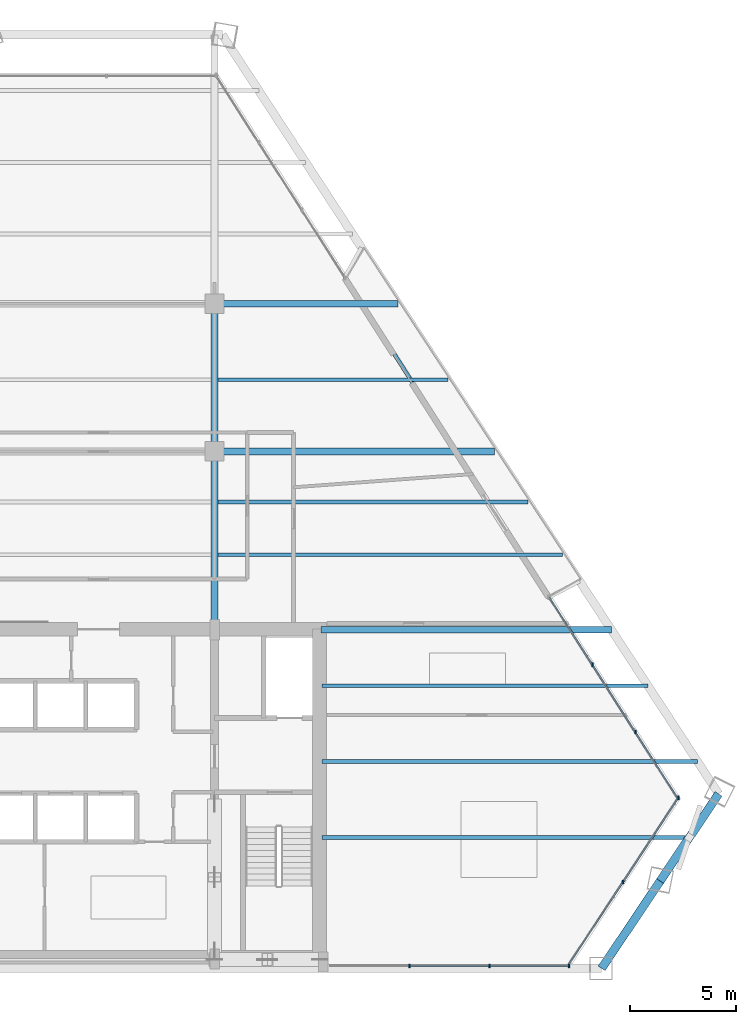
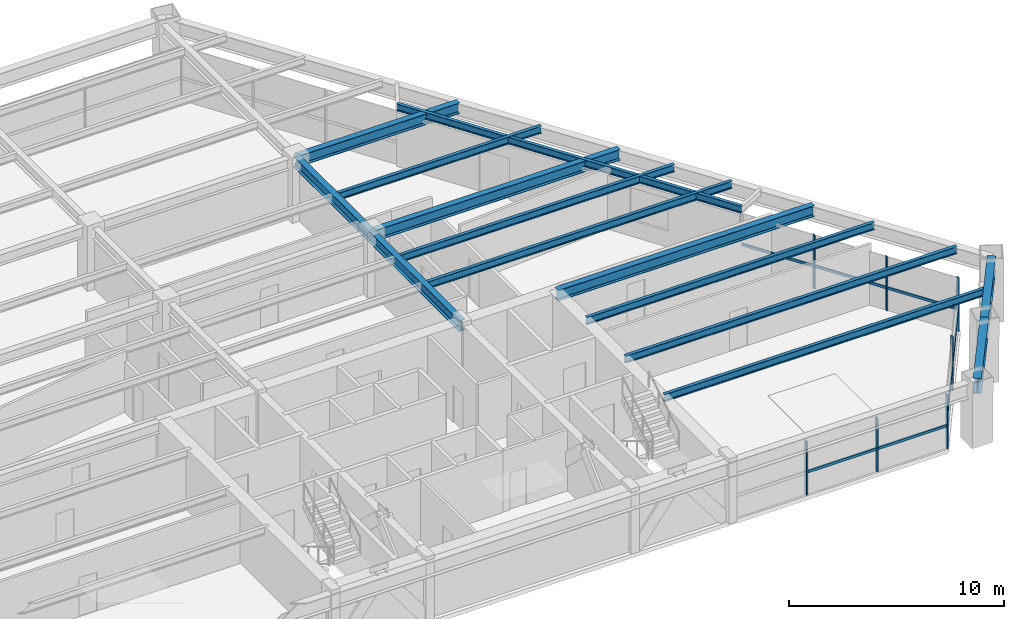
# One storey, part 6 of 14: 14 beams, 14 members, 3 elements without a shape of their own.
"""IFC4 building model written with IfcOpenShell, lengths in metres."""

from ifc_helpers import new_model, si_unit, direction, frame, origin, origin_2d, place, context, subcontext, project, spatial, rectangle, i_section, extrude, source, transform, mapped, material, material_profile, profile_set, type_object, type_shapes, element, aggregate, save


model = new_model("IFC4")

# Units and contexts
model_context = context("Model", 3, precision=1e-05, world=origin(), true_north=direction((0.0, 1.0)))
body_context = subcontext(model_context, "Body", "Model", "MODEL_VIEW")
ifc_project = project(units=[si_unit("LENGTHUNIT", "METRE"), si_unit("AREAUNIT", "SQUARE_METRE"), si_unit("VOLUMEUNIT", "CUBIC_METRE"), si_unit("PLANEANGLEUNIT", "RADIAN"), si_unit("MASSUNIT", "GRAM", prefix="KILO")], contexts=[model_context])

# Site, building, storey
site_placement = place(None, origin())
site = spatial("IfcSite", under=ifc_project, at=site_placement, CompositionType="ELEMENT")
building_placement = place(site_placement, origin())
building = spatial("IfcBuilding", under=site, at=building_placement, Name="Varnakhor Terracotta Tower", CompositionType="ELEMENT")
storey_placement = place(building_placement, frame((0.0, 0.0, 129.300048828125)))
storey = spatial("IfcBuildingStorey", under=building, at=storey_placement, Name="L32", CompositionType="ELEMENT", Elevation=129.300048828125)

# Beams
ifc_material_1 = material(Name="Steel S355", Category="steel")
ifc_material_profile_1 = material_profile(ifc_material_1, i_section(OverallWidth=0.324951171875, OverallDepth=0.615966796875, WebThickness=0.013916015625, FlangeThickness=0.02197265625, FilletRadius=0.01806640625, at=origin_2d()), Name="W24X117")
ifc_profile_set_1 = profile_set([ifc_material_profile_1], Name="Steel S355")
beam_type_1 = type_object("IfcBeamType", Name="BM-W24X117", PredefinedType="BEAM", material=ifc_profile_set_1)
shared_shape_1 = source(origin(), body_context, "Body", "SweptSolid", [
    extrude(i_section(OverallWidth=0.324951171875, OverallDepth=0.615966796875, WebThickness=0.013916015625, FlangeThickness=0.02197265625, FilletRadius=0.01806640625, at=origin_2d()), origin(), (0.0, 0.0, 1.0), 8.449951171875),
])
type_shapes(beam_type_1, [shared_shape_1])
beam_1_placement = place(storey_placement, frame((5.5, 16.050048828125, 3.161865234375), z_axis=(0.0, 1.0, 0.0), x_axis=(-1.0, 0.0, 0.0)))
element("IfcBeam", 1, at=beam_1_placement, inside=storey, type_object=beam_type_1, Name="L32 Primary Girder NS1-E", PredefinedType="BEAM", context=body_context, shape_type="MappedRepresentation", body=[
    mapped(shared_shape_1, transform((0.0, 0.0, 0.0), scale=1.0)),
])
shared_shape_2 = source(origin(), body_context, "Body", "SweptSolid", [
    extrude(i_section(OverallWidth=0.324951171875, OverallDepth=0.615966796875, WebThickness=0.013916015625, FlangeThickness=0.02197265625, FilletRadius=0.01806640625, at=origin_2d()), origin(), (0.0, 0.0, 1.0), 7.0),
])
beam_2_placement = place(storey_placement, frame((5.5, 24.5, 3.161865234375), z_axis=(0.0, 1.0, 0.0), x_axis=(-1.0, 0.0, 0.0)))
element("IfcBeam", 2, at=beam_2_placement, inside=storey, type_object=beam_type_1, Name="L32 Primary Girder NS2-E", PredefinedType="BEAM", context=body_context, shape_type="MappedRepresentation", body=[
    mapped(shared_shape_2, transform((0.0, 0.0, 0.0), scale=1.0)),
])
ifc_material_profile_2 = material_profile(ifc_material_1, i_section(OverallWidth=0.39990234375, OverallDepth=0.85498046875, WebThickness=0.01806640625, FlangeThickness=0.029052734375, FilletRadius=0.01806640625, at=origin_2d()), Name="W33X201")
ifc_profile_set_2 = profile_set([ifc_material_profile_2], Name="Steel S355")
beam_type_2 = type_object("IfcBeamType", Name="BM-W33X201", PredefinedType="BEAM", material=ifc_profile_set_2)
shared_shape_3 = source(origin(), body_context, "Body", "SweptSolid", [
    extrude(i_section(OverallWidth=0.39990234375, OverallDepth=0.85498046875, WebThickness=0.01806640625, FlangeThickness=0.029052734375, FilletRadius=0.01806640625, at=origin_2d()), origin(), (0.0, 0.0, 1.0), 4.979248046875),
])
for number, where, z_axis, x_axis, name in (
    (3, (23.845703125, 0.0, 3.04248046875), (0.556656154892, 0.83074299589, 0.0), (-0.83074299589, 0.556656154892, 0.0), "L32 Perimeter Spandrel 2"),
    (4, (26.617431640625, 4.136474609375, 3.04248046875), (0.55671266686, 0.830705126117, 0.0), (-0.830705126117, 0.55671266686, 0.0), "L32 Perimeter Spandrel 3"),
):
    element("IfcBeam", number, at=place(storey_placement, frame(where, z_axis=z_axis, x_axis=x_axis)), inside=storey, type_object=beam_type_2, Name=name, PredefinedType="BEAM", context=body_context, shape_type="MappedRepresentation", body=[
        mapped(shared_shape_3, transform((0.0, 0.0, 0.0), scale=1.0)),
    ])
ifc_material_profile_3 = material_profile(ifc_material_1, i_section(OverallWidth=0.179931640625, OverallDepth=0.39990234375, WebThickness=0.008544921875, FlangeThickness=0.013427734375, FilletRadius=0.01806640625, at=origin_2d()), Name="IPE400")
ifc_profile_set_3 = profile_set([ifc_material_profile_3], Name="Steel S355")
beam_type_3 = type_object("IfcBeamType", Name="JST-IPE400", PredefinedType="JOIST", material=ifc_profile_set_3)
shared_shape_4 = source(origin(), body_context, "Body", "SweptSolid", [
    extrude(i_section(OverallWidth=0.179931640625, OverallDepth=0.39990234375, WebThickness=0.008544921875, FlangeThickness=0.013427734375, FilletRadius=0.01806640625, at=origin_2d()), origin(), (0.0, 0.0, 1.0), 18.0078125),
])
beam_3_placement = place(storey_placement, frame((21.370849609375, 17.59423828125, 3.27001953125), z_axis=(-0.537947934611, 0.842978065935, 0.0), x_axis=(-0.842978065935, -0.537947934611, 0.0)))
element("IfcBeam", 5, at=beam_3_placement, inside=storey, type_object=beam_type_3, Name="L32 Loggia Edge Beam 1", PredefinedType="JOIST", context=body_context, shape_type="MappedRepresentation", body=[
    mapped(shared_shape_4, transform((0.0, 0.0, 0.0), scale=1.0)),
])
shared_shape_5 = source(origin(), body_context, "Body", "SweptSolid", [
    extrude(i_section(OverallWidth=0.324951171875, OverallDepth=0.615966796875, WebThickness=0.013916015625, FlangeThickness=0.02197265625, FilletRadius=0.01806640625, at=origin_2d()), origin(), (0.0, 0.0, 1.0), 13.753662109375),
])
beam_4_placement = place(storey_placement, frame((10.550048828125, 16.050048828125, 3.161865234375), z_axis=(1.0, 0.0, 0.0), x_axis=(0.0, 1.0, 0.0)))
element("IfcBeam", 6, at=beam_4_placement, inside=storey, type_object=beam_type_1, Name="L32 Wing Girder E", PredefinedType="BEAM", context=body_context, shape_type="MappedRepresentation", body=[
    mapped(shared_shape_5, transform((0.0, 0.0, 0.0), scale=1.0)),
])
shared_shape_6 = source(origin(), body_context, "Body", "SweptSolid", [
    extrude(i_section(OverallWidth=0.324951171875, OverallDepth=0.615966796875, WebThickness=0.013916015625, FlangeThickness=0.02197265625, FilletRadius=0.01806640625, at=origin_2d()), origin(), (0.0, 0.0, 1.0), 13.2783203125),
])
beam_5_placement = place(storey_placement, frame((5.5, 24.5, 3.161865234375), z_axis=(1.0, 0.0, 0.0), x_axis=(0.0, 1.0, 0.0)))
element("IfcBeam", 7, at=beam_5_placement, inside=storey, type_object=beam_type_1, Name="L32 Primary Girder EW2-3", PredefinedType="BEAM", context=body_context, shape_type="MappedRepresentation", body=[
    mapped(shared_shape_6, transform((0.0, 0.0, 0.0), scale=1.0)),
])
shared_shape_7 = source(origin(), body_context, "Body", "SweptSolid", [
    extrude(i_section(OverallWidth=0.324951171875, OverallDepth=0.615966796875, WebThickness=0.013916015625, FlangeThickness=0.02197265625, FilletRadius=0.01806640625, at=origin_2d()), origin(), (0.0, 0.0, 1.0), 8.70068359375),
])
beam_6_placement = place(storey_placement, frame((5.5, 31.5, 3.161865234375), z_axis=(1.0, 0.0, 0.0), x_axis=(0.0, 1.0, 0.0)))
element("IfcBeam", 8, at=beam_6_placement, inside=storey, type_object=beam_type_1, Name="L32 Primary Girder EW3-3", PredefinedType="BEAM", context=body_context, shape_type="MappedRepresentation", body=[
    mapped(shared_shape_7, transform((0.0, 0.0, 0.0), scale=1.0)),
])
ifc_material_profile_4 = material_profile(ifc_material_1, i_section(OverallWidth=0.179931640625, OverallDepth=0.4130859375, WebThickness=0.009765625, FlangeThickness=0.01611328125, FilletRadius=0.01806640625, at=origin_2d()), Name="W16X50")
ifc_profile_set_4 = profile_set([ifc_material_profile_4], Name="Steel S355")
beam_type_4 = type_object("IfcBeamType", Name="JST-W16X50", PredefinedType="JOIST", material=ifc_profile_set_4)
shared_shape_8 = source(origin(), body_context, "Body", "SweptSolid", [
    extrude(i_section(OverallWidth=0.179931640625, OverallDepth=0.4130859375, WebThickness=0.009765625, FlangeThickness=0.01611328125, FilletRadius=0.01806640625, at=origin_2d()), origin(), (0.0, 0.0, 1.0), 17.400146484375),
])
beam_7_placement = place(storey_placement, frame((10.60009765625, 6.199951171875, 3.263427734375), z_axis=(1.0, 0.0, 0.0), x_axis=(0.0, 1.0, 0.0)))
element("IfcBeam", 9, at=beam_7_placement, inside=storey, type_object=beam_type_4, Name="L32 Floor Joist E1", PredefinedType="JOIST", context=body_context, shape_type="MappedRepresentation", body=[
    mapped(shared_shape_8, transform((0.0, 0.0, 0.0), scale=1.0)),
])
shared_shape_9 = source(origin(), body_context, "Body", "SweptSolid", [
    extrude(i_section(OverallWidth=0.179931640625, OverallDepth=0.4130859375, WebThickness=0.009765625, FlangeThickness=0.01611328125, FilletRadius=0.01806640625, at=origin_2d()), origin(), (0.0, 0.0, 1.0), 17.79052734375),
])
beam_8_placement = place(storey_placement, frame((10.60009765625, 9.800048828125, 3.263427734375), z_axis=(1.0, 0.0, 0.0), x_axis=(0.0, 1.0, 0.0)))
element("IfcBeam", 10, at=beam_8_placement, inside=storey, type_object=beam_type_4, Name="L32 Floor Joist E2", PredefinedType="JOIST", context=body_context, shape_type="MappedRepresentation", body=[
    mapped(shared_shape_9, transform((0.0, 0.0, 0.0), scale=1.0)),
])
shared_shape_10 = source(origin(), body_context, "Body", "SweptSolid", [
    extrude(i_section(OverallWidth=0.179931640625, OverallDepth=0.4130859375, WebThickness=0.009765625, FlangeThickness=0.01611328125, FilletRadius=0.01806640625, at=origin_2d()), origin(), (0.0, 0.0, 1.0), 15.4365234375),
])
beam_9_placement = place(storey_placement, frame((10.60009765625, 13.39990234375, 3.263427734375), z_axis=(1.0, 0.0, 0.0), x_axis=(0.0, 1.0, 0.0)))
element("IfcBeam", 11, at=beam_9_placement, inside=storey, type_object=beam_type_4, Name="L32 Floor Joist E3", PredefinedType="JOIST", context=body_context, shape_type="MappedRepresentation", body=[
    mapped(shared_shape_10, transform((0.0, 0.0, 0.0), scale=1.0)),
])
shared_shape_11 = source(origin(), body_context, "Body", "SweptSolid", [
    extrude(i_section(OverallWidth=0.179931640625, OverallDepth=0.4130859375, WebThickness=0.009765625, FlangeThickness=0.01611328125, FilletRadius=0.01806640625, at=origin_2d()), origin(), (0.0, 0.0, 1.0), 16.323974609375),
])
beam_10_placement = place(storey_placement, frame((5.658447265625, 19.60009765625, 3.263427734375), z_axis=(1.0, 0.0, 0.0), x_axis=(0.0, 1.0, 0.0)))
element("IfcBeam", 12, at=beam_10_placement, inside=storey, type_object=beam_type_4, Name="L32 Composite Floor Joist 4-3", PredefinedType="JOIST", context=body_context, shape_type="MappedRepresentation", body=[
    mapped(shared_shape_11, transform((0.0, 0.0, 0.0), scale=1.0)),
])
shared_shape_12 = source(origin(), body_context, "Body", "SweptSolid", [
    extrude(i_section(OverallWidth=0.179931640625, OverallDepth=0.4130859375, WebThickness=0.009765625, FlangeThickness=0.01611328125, FilletRadius=0.01806640625, at=origin_2d()), origin(), (0.0, 0.0, 1.0), 14.68896484375),
])
beam_11_placement = place(storey_placement, frame((5.658447265625, 22.10009765625, 3.263427734375), z_axis=(1.0, 0.0, 0.0), x_axis=(0.0, 1.0, 0.0)))
element("IfcBeam", 13, at=beam_11_placement, inside=storey, type_object=beam_type_4, Name="L32 Composite Floor Joist 5-3", PredefinedType="JOIST", context=body_context, shape_type="MappedRepresentation", body=[
    mapped(shared_shape_12, transform((0.0, 0.0, 0.0), scale=1.0)),
])
shared_shape_13 = source(origin(), body_context, "Body", "SweptSolid", [
    extrude(i_section(OverallWidth=0.179931640625, OverallDepth=0.4130859375, WebThickness=0.009765625, FlangeThickness=0.01611328125, FilletRadius=0.01806640625, at=origin_2d()), origin(), (0.0, 0.0, 1.0), 10.896484375),
])
beam_12_placement = place(storey_placement, frame((5.658447265625, 27.89990234375, 3.263427734375), z_axis=(1.0, 0.0, 0.0), x_axis=(0.0, 1.0, 0.0)))
element("IfcBeam", 14, at=beam_12_placement, inside=storey, type_object=beam_type_4, Name="L32 Composite Floor Joist 6-3", PredefinedType="JOIST", context=body_context, shape_type="MappedRepresentation", body=[
    mapped(shared_shape_13, transform((0.0, 0.0, 0.0), scale=1.0)),
])

# Curtain wall, members
ifc_material_2 = material(Name="Anodised Aluminium Curtain Wall System", Category="aluminium")
curtain_wall_type = type_object("IfcCurtainWallType", Name="CW-SYS-MID-OFFICE", PredefinedType="NOTDEFINED", material=ifc_material_2)
curtain_wall_1_placement = place(storey_placement, origin())
curtain_wall_1 = element("IfcCurtainWall", 15, at=curtain_wall_1_placement, inside=storey, type_object=curtain_wall_type, Name="L32 E Facet Curtain Wall 2", PredefinedType="NOTDEFINED")
ifc_material_3 = material(Name="Anodised Aluminium 6063-T6", Category="aluminium")
ifc_material_profile_5 = material_profile(ifc_material_3, rectangle(XDim=0.070068359375, YDim=0.175048828125, at=origin_2d()), Name="ALU MULLION 70x175")
ifc_profile_set_5 = profile_set([ifc_material_profile_5], Name="Anodised Aluminium 6063-T6")
member_type_1 = type_object("IfcMemberType", Name="CWM-03", PredefinedType="MULLION", material=ifc_profile_set_5)
shared_shape_14 = source(origin(), body_context, "Body", "SweptSolid", [
    extrude(rectangle(XDim=0.070068359375, YDim=0.175048828125, at=origin_2d()), origin(), (0.0, 0.0, 1.0), 3.050048828125),
])
member_1_placement = place(storey_placement, frame((23.40380859375, 14.3876953125, 0.0), z_axis=(0.0, 0.0, 1.0), x_axis=(1.0, 0.0, 0.0)))
member_1 = element("IfcMember", 16, at=member_1_placement, type_object=member_type_1, Name="L32 E Facet Curtain Wall 2 Mullion 2", PredefinedType="MULLION", context=body_context, shape_type="MappedRepresentation", body=[
    mapped(shared_shape_14, transform((0.0, 0.0, 0.0), scale=1.0)),
])
member_2_placement = place(storey_placement, frame((25.44189453125, 11.196533203125, 0.0), z_axis=(0.0, 0.0, 1.0), x_axis=(1.0, 0.0, 0.0)))
member_2 = element("IfcMember", 17, at=member_2_placement, type_object=member_type_1, Name="L32 E Facet Curtain Wall 2 Mullion 3", PredefinedType="MULLION", context=body_context, shape_type="MappedRepresentation", body=[
    mapped(shared_shape_14, transform((0.0, 0.0, 0.0), scale=1.0)),
])

curtain_wall_2_placement = place(storey_placement, origin())
curtain_wall_2 = element("IfcCurtainWall", 18, at=curtain_wall_2_placement, inside=storey, type_object=curtain_wall_type, Name="L32 Facet Curtain Wall 4", PredefinedType="NOTDEFINED")
member_3_placement = place(storey_placement, frame((27.480712890625, 8.08544921875, 0.0), z_axis=(0.0, 0.0, 1.0), x_axis=(1.0, 0.0, 0.0)))
member_3 = element("IfcMember", 19, at=member_3_placement, type_object=member_type_1, Name="L32 Facet Curtain Wall 4 Mullion 1", PredefinedType="MULLION", context=body_context, shape_type="MappedRepresentation", body=[
    mapped(shared_shape_14, transform((0.0, 0.0, 0.0), scale=1.0)),
])
member_4_placement = place(storey_placement, frame((24.85400390625, 4.08837890625, 0.0), z_axis=(0.0, 0.0, 1.0), x_axis=(1.0, 0.0, 0.0)))
member_4 = element("IfcMember", 20, at=member_4_placement, type_object=member_type_1, Name="L32 Facet Curtain Wall 4 Mullion 2", PredefinedType="MULLION", context=body_context, shape_type="MappedRepresentation", body=[
    mapped(shared_shape_14, transform((0.0, 0.0, 0.0), scale=1.0)),
])

curtain_wall_3_placement = place(storey_placement, origin())
curtain_wall_3 = element("IfcCurtainWall", 21, at=curtain_wall_3_placement, inside=storey, type_object=curtain_wall_type, Name="L32 South Wing Curtain Wall SSE", PredefinedType="NOTDEFINED")
member_5_placement = place(storey_placement, frame((22.301025390625, 0.1201171875, 0.0), z_axis=(0.0, 0.0, 1.0), x_axis=(1.0, 0.0, 0.0)))
member_5 = element("IfcMember", 22, at=member_5_placement, type_object=member_type_1, Name="L32 South Wing Curtain Wall SSE Mullion 1", PredefinedType="MULLION", context=body_context, shape_type="MappedRepresentation", body=[
    mapped(shared_shape_14, transform((0.0, 0.0, 0.0), scale=1.0)),
])
member_6_placement = place(storey_placement, frame((18.52392578125, 0.1201171875, 0.0), z_axis=(0.0, 0.0, 1.0), x_axis=(1.0, 0.0, 0.0)))
member_6 = element("IfcMember", 23, at=member_6_placement, type_object=member_type_1, Name="L32 South Wing Curtain Wall SSE Mullion 2", PredefinedType="MULLION", context=body_context, shape_type="MappedRepresentation", body=[
    mapped(shared_shape_14, transform((0.0, 0.0, 0.0), scale=1.0)),
])
member_7_placement = place(storey_placement, frame((14.7470703125, 0.1201171875, 0.0), z_axis=(0.0, 0.0, 1.0), x_axis=(1.0, 0.0, 0.0)))
member_7 = element("IfcMember", 24, at=member_7_placement, type_object=member_type_1, Name="L32 South Wing Curtain Wall SSE Mullion 3", PredefinedType="MULLION", context=body_context, shape_type="MappedRepresentation", body=[
    mapped(shared_shape_14, transform((0.0, 0.0, 0.0), scale=1.0)),
])

# Member
ifc_material_profile_6 = material_profile(ifc_material_3, rectangle(XDim=0.070068359375, YDim=0.155029296875, at=origin_2d()), Name="ALU TRANSOM 70x155")
ifc_profile_set_6 = profile_set([ifc_material_profile_6], Name="Anodised Aluminium 6063-T6")
member_type_2 = type_object("IfcMemberType", Name="CWT-03", PredefinedType="USERDEFINED", material=ifc_profile_set_6)
shared_shape_15 = source(origin(), body_context, "Body", "SweptSolid", [
    extrude(rectangle(XDim=0.070068359375, YDim=0.155029296875, at=origin_2d()), origin(), (0.0, 0.0, 1.0), 3.78662109375),
])
member_8_placement = place(storey_placement, frame((21.365478515625, 17.578857421875, 1.281005859375), z_axis=(0.538301517567, -0.842752321969, 0.0), x_axis=(0.842752321969, 0.538301517567, 0.0)))
member_8 = element("IfcMember", 25, at=member_8_placement, type_object=member_type_2, Name="L32 E Facet Curtain Wall 2 Transom 1", ObjectType="TRANSOM", PredefinedType="USERDEFINED", context=body_context, shape_type="MappedRepresentation", body=[
    mapped(shared_shape_15, transform((0.0, 0.0, 0.0), scale=1.0)),
])

member_9_placement = place(storey_placement, frame((25.44189453125, 11.196533203125, 1.281005859375), z_axis=(0.538301517567, -0.842752321969, 0.0), x_axis=(0.842752321969, 0.538301517567, 0.0)))
member_9 = element("IfcMember", 26, at=member_9_placement, type_object=member_type_2, Name="L32 E Facet Curtain Wall 2 Transom 3", ObjectType="TRANSOM", PredefinedType="USERDEFINED", context=body_context, shape_type="MappedRepresentation", body=[
    mapped(shared_shape_15, transform((0.0, 0.0, 0.0), scale=1.0)),
])

shared_shape_16 = source(origin(), body_context, "Body", "SweptSolid", [
    extrude(rectangle(XDim=0.070068359375, YDim=0.155029296875, at=origin_2d()), origin(), (0.0, 0.0, 1.0), 3.786376953125),
])
member_10_placement = place(storey_placement, frame((23.40380859375, 14.3876953125, 1.281005859375), z_axis=(0.538255723031, -0.842781571123, 0.0), x_axis=(0.842781571123, 0.538255723031, 0.0)))
member_10 = element("IfcMember", 27, at=member_10_placement, type_object=member_type_2, Name="L32 E Facet Curtain Wall 2 Transom 2", ObjectType="TRANSOM", PredefinedType="USERDEFINED", context=body_context, shape_type="MappedRepresentation", body=[
    mapped(shared_shape_16, transform((0.0, 0.0, 0.0), scale=1.0)),
])

aggregate(curtain_wall_1, [member_8, member_1, member_10, member_2, member_9])

shared_shape_17 = source(origin(), body_context, "Body", "SweptSolid", [
    extrude(rectangle(XDim=0.070068359375, YDim=0.155029296875, at=origin_2d()), origin(), (0.0, 0.0, 1.0), 4.782958984375),
])
member_11_placement = place(storey_placement, frame((27.480712890625, 8.08544921875, 1.281005859375), z_axis=(-0.549187053672, -0.835699455593, 0.0), x_axis=(0.835699455593, -0.549187053672, 0.0)))
member_11 = element("IfcMember", 28, at=member_11_placement, type_object=member_type_2, Name="L32 Facet Curtain Wall 4 Transom 1", ObjectType="TRANSOM", PredefinedType="USERDEFINED", context=body_context, shape_type="MappedRepresentation", body=[
    mapped(shared_shape_17, transform((0.0, 0.0, 0.0), scale=1.0)),
])

shared_shape_18 = source(origin(), body_context, "Body", "SweptSolid", [
    extrude(rectangle(XDim=0.070068359375, YDim=0.155029296875, at=origin_2d()), origin(), (0.0, 0.0, 1.0), 4.783203125),
])
member_12_placement = place(storey_placement, frame((24.85400390625, 4.08837890625, 1.281005859375), z_axis=(-0.549163627342, -0.835714849937, 0.0), x_axis=(0.835714849937, -0.549163627342, 0.0)))
member_12 = element("IfcMember", 29, at=member_12_placement, type_object=member_type_2, Name="L32 Facet Curtain Wall 4 Transom 2", ObjectType="TRANSOM", PredefinedType="USERDEFINED", context=body_context, shape_type="MappedRepresentation", body=[
    mapped(shared_shape_18, transform((0.0, 0.0, 0.0), scale=1.0)),
])

aggregate(curtain_wall_2, [member_3, member_11, member_4, member_12])

shared_shape_19 = source(origin(), body_context, "Body", "SweptSolid", [
    extrude(rectangle(XDim=0.070068359375, YDim=0.155029296875, at=origin_2d()), origin(), (0.0, 0.0, 1.0), 3.777099609375),
])
member_13_placement = place(storey_placement, frame((22.301025390625, 0.1201171875, 1.281005859375), z_axis=(-1.0, 0.0, 0.0), x_axis=(0.0, -1.0, 0.0)))
member_13 = element("IfcMember", 30, at=member_13_placement, type_object=member_type_2, Name="L32 South Wing Curtain Wall SSE Transom 1", ObjectType="TRANSOM", PredefinedType="USERDEFINED", context=body_context, shape_type="MappedRepresentation", body=[
    mapped(shared_shape_19, transform((0.0, 0.0, 0.0), scale=1.0)),
])

shared_shape_20 = source(origin(), body_context, "Body", "SweptSolid", [
    extrude(rectangle(XDim=0.070068359375, YDim=0.155029296875, at=origin_2d()), origin(), (0.0, 0.0, 1.0), 3.77685546875),
])
member_14_placement = place(storey_placement, frame((18.52392578125, 0.1201171875, 1.281005859375), z_axis=(-1.0, 0.0, 0.0), x_axis=(0.0, -1.0, 0.0)))
member_14 = element("IfcMember", 31, at=member_14_placement, type_object=member_type_2, Name="L32 South Wing Curtain Wall SSE Transom 2", ObjectType="TRANSOM", PredefinedType="USERDEFINED", context=body_context, shape_type="MappedRepresentation", body=[
    mapped(shared_shape_20, transform((0.0, 0.0, 0.0), scale=1.0)),
])

aggregate(curtain_wall_3, [member_5, member_13, member_6, member_14, member_7])

save(model, "model.ifc")
